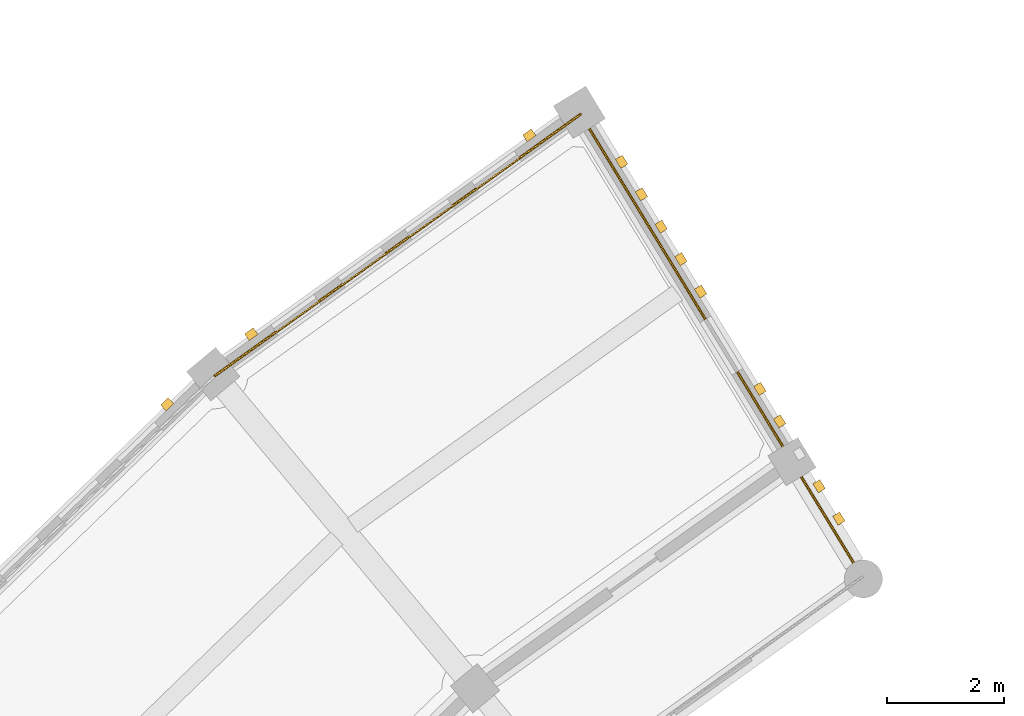
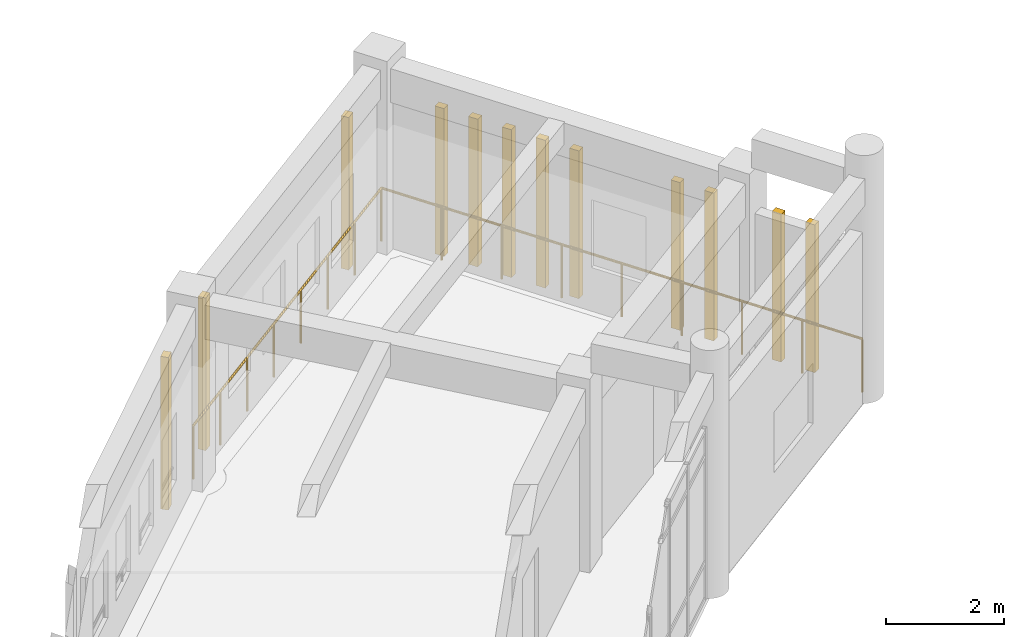
# One storey, part 151 of 159: 12 coverings, 2 railings.
"""IFC4 building model written with IfcOpenShell, lengths in metres."""

import ifcopenshell
import ifcopenshell.guid

model = None  # the IFC model being written
_history = None  # IfcOwnerHistory: only IFC2X3 demands one
_inside = {}  # id of a spatial element -> (the spatial element, [elements in it])
_under = {}  # id of a project, library or spatial element -> (it, [spatial elements below it])
_declared = {}  # id of a project -> (the project, [libraries it declares])
_typed = {}  # id of a type object -> (the type object, [elements of that type])
_made_of = {}  # id of a material, layer set ... -> (it, [elements and type objects made of it])


def new_model(schema):
    """Start an empty IFC model of exactly this schema.

    Asked for "IFC4X3", IfcOpenShell would pick the latest addendum, in which some entities
    have other attributes; the version numbers below select the first issue.
    IFC2X3 requires an IfcOwnerHistory on every rooted entity: one is made here for all.
    """
    global model, _history
    if schema == "IFC4X3":
        model = ifcopenshell.file(schema_version=(4, 3, 0, 0))
    else:
        model = ifcopenshell.file(schema=schema)
    _inside.clear()
    _under.clear()
    _declared.clear()
    _typed.clear()
    _made_of.clear()
    _history = None
    if model.schema == "IFC2X3":
        org = make("IfcOrganization", Name="unknown")
        user = make(
            "IfcPersonAndOrganization",
            ThePerson=make("IfcPerson", FamilyName="unknown"),
            TheOrganization=org,
        )
        app = make(
            "IfcApplication",
            ApplicationDeveloper=org,
            Version="unknown",
            ApplicationFullName="unknown",
            ApplicationIdentifier="unknown",
        )
        _history = make(
            "IfcOwnerHistory",
            OwningUser=user,
            OwningApplication=app,
            ChangeAction="ADDED",
            CreationDate=0,
        )
    return model


def make(cls, **values):
    """One entity of the class cls with the attributes given. An attribute that is None is left unset."""
    return model.create_entity(
        cls, **{name: value for name, value in values.items() if value is not None}
    )


def rooted(cls, **values):
    """An entity with a GlobalId (a new one), such as an element, a storey or a relation."""
    return make(cls, GlobalId=ifcopenshell.guid.new(), OwnerHistory=_history, **values)


def si_unit(unit_type, name, prefix=None):
    """IfcSIUnit, for example si_unit("LENGTHUNIT", "METRE", prefix="MILLI")."""
    return make("IfcSIUnit", UnitType=unit_type, Prefix=prefix, Name=name)


def assignment(units):
    """IfcUnitAssignment: the units of a project."""
    return None if units is None else make("IfcUnitAssignment", Units=units)


def point(xyz):
    """IfcCartesianPoint."""
    return None if xyz is None else make("IfcCartesianPoint", Coordinates=xyz)


def direction(xyz):
    """IfcDirection."""
    return None if xyz is None else make("IfcDirection", DirectionRatios=xyz)


def frame(location, z_axis=None, x_axis=None):
    """IfcAxis2Placement3D, a coordinate frame: its origin and axes. An axis left out is left unset."""
    return make(
        "IfcAxis2Placement3D",
        Location=point(location),
        Axis=direction(z_axis),
        RefDirection=direction(x_axis),
    )


def frame_2d(location, x_axis=None):
    """IfcAxis2Placement2D, a coordinate frame in the plane: its origin and x axis."""
    return make(
        "IfcAxis2Placement2D", Location=point(location), RefDirection=direction(x_axis)
    )


def origin():
    """The frame at (0, 0, 0) with its axes left unset."""
    return frame((0.0, 0.0, 0.0))


def origin_2d():
    """The frame at (0, 0) in the plane with its x axis left unset."""
    return frame_2d((0.0, 0.0))


def place(relative_to, where):
    """IfcLocalPlacement: puts the frame where relative to a parent placement (None: the world)."""
    return make(
        "IfcLocalPlacement", PlacementRelTo=relative_to, RelativePlacement=where
    )


def context(
    kind, dimensions, precision=None, world=None, true_north=None, identifier=None
):
    """IfcGeometricRepresentationContext, for example the 3D "Model" context."""
    return make(
        "IfcGeometricRepresentationContext",
        ContextIdentifier=identifier,
        ContextType=kind,
        CoordinateSpaceDimension=dimensions,
        Precision=precision,
        WorldCoordinateSystem=world,
        TrueNorth=true_north,
    )


def subcontext(parent, identifier, kind, view, scale=None):
    """IfcGeometricRepresentationSubContext, for example "Body" below "Model"."""
    return make(
        "IfcGeometricRepresentationSubContext",
        ContextIdentifier=identifier,
        ContextType=kind,
        ParentContext=parent,
        TargetScale=scale,
        TargetView=view,
    )


def project(units=None, contexts=None):
    """IfcProject with its units and contexts."""
    return rooted(
        "IfcProject",
        Name="project",
        RepresentationContexts=contexts,
        UnitsInContext=assignment(units),
    )


def spatial(cls, under=None, at=None, **own):
    """A site, building, storey or space (cls), placed at a placement, below another one or the project."""
    s = rooted(cls, ObjectPlacement=at, **own)
    if under is not None:
        _under.setdefault(under.id(), (under, []))[1].append(s)
    return s


def profile(cls, at=None, kind="AREA", **sizes):
    """A parametric profile (cls). Its sizes go by their IFC names, for example OverallWidth=200.0."""
    return make(cls, ProfileType=kind, Position=at, **sizes)


def rectangle(**sizes):
    """IfcRectangleProfileDef."""
    return profile("IfcRectangleProfileDef", **sizes)


def circle(**sizes):
    """IfcCircleProfileDef."""
    return profile("IfcCircleProfileDef", **sizes)


def extrude(swept, where, along, depth):
    """IfcExtrudedAreaSolid: the profile swept, set in the frame where, extruded along a direction by depth."""
    return make(
        "IfcExtrudedAreaSolid",
        SweptArea=swept,
        Position=where,
        ExtrudedDirection=direction(along),
        Depth=depth,
    )


def shape(context_of_items, identifier, shape_type, items):
    """IfcShapeRepresentation: the items that make up one representation, for example the "Body"."""
    return make(
        "IfcShapeRepresentation",
        ContextOfItems=context_of_items,
        RepresentationIdentifier=identifier,
        RepresentationType=shape_type,
        Items=items,
    )


def material(Name=None, Category=None):
    """IfcMaterial."""
    return make("IfcMaterial", Name=Name, Category=Category)


def layer(
    of_material, thickness, ventilated=None, Name=None, Category=None, Priority=None
):
    """IfcMaterialLayer: one layer of a wall or slab, of a material (None: an air gap)."""
    return make(
        "IfcMaterialLayer",
        Material=of_material,
        LayerThickness=thickness,
        IsVentilated=ventilated,
        Name=Name,
        Category=Category,
        Priority=Priority,
    )


def layer_set(layers, Name=None):
    """IfcMaterialLayerSet."""
    return make("IfcMaterialLayerSet", MaterialLayers=layers, LayerSetName=Name)


def made_of(thing, what):
    """Note that an element or type object is made of a material, layer set ...; save() writes the relation."""
    if what is not None:
        _made_of.setdefault(what.id(), (what, []))[1].append(thing)
    return thing


def type_object(cls, material=None, **own):
    """A type object (cls), such as IfcWallType, which elements share."""
    return made_of(rooted(cls, **own), material)


def element(
    cls,
    number,
    at=None,
    inside=None,
    cuts=None,
    type_object=None,
    material=None,
    context=None,
    identifier="Body",
    shape_type=None,
    held_by="IfcProductDefinitionShape",
    body=None,
    shapes=None,
    **own,
):
    """One element of the class cls, such as IfcWall. Its Tag is "e" and its number.

    at: its placement. inside: the storey or other place that contains it. cuts: it is an
    opening in that element (IfcRelVoidsElement). A single representation is given by context,
    identifier, shape_type and body (its items); several are given by shapes. held_by: the class
    of the entity that holds the representations. save() writes the other relations.
    """
    e = rooted(cls, Tag="e%d" % number, ObjectPlacement=at, **own)
    if body is not None:
        shapes = [shape(context, identifier, shape_type, body)]
    if shapes is not None:
        e.Representation = make(held_by, Representations=shapes)
    if inside is not None:
        _inside.setdefault(inside.id(), (inside, []))[1].append(e)
    if cuts is not None:
        rooted(
            "IfcRelVoidsElement", RelatingBuildingElement=cuts, RelatedOpeningElement=e
        )
    if type_object is not None:
        _typed.setdefault(type_object.id(), (type_object, []))[1].append(e)
    return made_of(e, material)


def aggregate(whole, parts):
    """IfcRelAggregates: a whole, such as a stair, and the parts it consists of."""
    return rooted("IfcRelAggregates", RelatingObject=whole, RelatedObjects=parts)


def save(model, path):
    """Write the relations noted so far, then the file.

    IfcRelAggregates (storeys below a building ...), IfcRelContainedInSpatialStructure (elements
    in a storey), IfcRelDefinesByType, IfcRelAssociatesMaterial and IfcRelDeclares: one each for
    every whole, place, type object, material and project.
    """
    for whole, parts in _under.values():
        aggregate(whole, parts)
    for where, things in _inside.values():
        rooted(
            "IfcRelContainedInSpatialStructure",
            RelatedElements=things,
            RelatingStructure=where,
        )
    for kind, things in _typed.values():
        rooted("IfcRelDefinesByType", RelatedObjects=things, RelatingType=kind)
    for what, things in _made_of.values():
        rooted("IfcRelAssociatesMaterial", RelatedObjects=things, RelatingMaterial=what)
    for by, libraries in _declared.values():
        rooted("IfcRelDeclares", RelatingContext=by, RelatedDefinitions=libraries)
    model.write(path)


model = new_model("IFC4")

# Units and contexts
model_context = context("Model", 3, precision=1e-05, world=origin(), true_north=direction((0.0, 1.0)))
body_context = subcontext(model_context, "Body", "Model", "MODEL_VIEW")
ifc_project = project(units=[si_unit("LENGTHUNIT", "METRE"), si_unit("AREAUNIT", "SQUARE_METRE"), si_unit("VOLUMEUNIT", "CUBIC_METRE"), si_unit("PLANEANGLEUNIT", "RADIAN"), si_unit("MASSUNIT", "GRAM", prefix="KILO")], contexts=[model_context])

# Site, building, storey
site_placement = place(None, origin())
site = spatial("IfcSite", under=ifc_project, at=site_placement, CompositionType="ELEMENT")
building_placement = place(site_placement, origin())
building = spatial("IfcBuilding", under=site, at=building_placement, Name="Celadon Cloister-Ring School", CompositionType="ELEMENT")
storey_placement = place(building_placement, frame((0.0, 0.0, 4.5)))
storey = spatial("IfcBuildingStorey", under=building, at=storey_placement, Name="L01", CompositionType="ELEMENT", Elevation=4.5)

# Coverings
ifc_material_1 = material(Name="Perforated terracotta clay brick masonry", Category="masonry")
ifc_layer = layer(ifc_material_1, 0.139892578125)
ifc_layer_set = layer_set([ifc_layer], Name="Perforated terracotta clay brick masonry")
covering_type = type_object("IfcCoveringType", Name="CV-SC1", PredefinedType="CLADDING", material=ifc_layer_set)
for number, where, z_axis, x_axis, name in (
    (1, (54.35400390625, 99.6240234375, 0.0), (0.0, 0.0, 1.0), (0.813374989743, 0.58173974083, 0.0), "Brick Screen Rib 0126"),
    (2, (59.112060546875, 103.027099609375, 0.0), (0.0, 0.0, 1.0), (0.813374989743, 0.58173974083, 0.0), "Brick Screen Rib 0127"),
    (3, (52.9150390625, 98.424072265625, 0.0), (0.0, 0.0, 1.0), (0.718672644851, 0.695348566938, 0.0), "Brick Screen Rib 0129"),
):
    element("IfcCovering", number, at=place(storey_placement, frame(where, z_axis=z_axis, x_axis=x_axis)), inside=storey, type_object=covering_type, Name=name, PredefinedType="CLADDING", context=body_context, shape_type="SweptSolid", body=[
        extrude(rectangle(XDim=0.179931640625, YDim=0.139892578125, at=origin_2d()), origin(), (0.0, 0.0, 1.0), 3.152099609375),
    ])
for number, where, z_axis, x_axis, name in (
    (4, (60.69189453125, 102.573974609375, 0.0), (0.0, 0.0, 1.0), (0.51986207177, -0.854250212956, 0.0), "Brick Screen Rib 0213"),
    (5, (61.030029296875, 102.01904296875, 0.0), (0.0, 0.0, 1.0), (0.51986207177, -0.854250212956, 0.0), "Brick Screen Rib 0214"),
    (6, (61.367919921875, 101.464111328125, 0.0), (0.0, 0.0, 1.0), (0.51986207177, -0.854250212956, 0.0), "Brick Screen Rib 0215"),
    (7, (61.7060546875, 100.908935546875, 0.0), (0.0, 0.0, 1.0), (0.51986207177, -0.854250212956, 0.0), "Brick Screen Rib 0216"),
    (8, (62.0439453125, 100.35302734375, 0.0), (0.0, 0.0, 1.0), (0.51986207177, -0.854250212956, 0.0), "Brick Screen Rib 0217"),
    (9, (63.05810546875, 98.68798828125, 0.0), (0.0, 0.0, 1.0), (0.51986207177, -0.854250212956, 0.0), "Brick Screen Rib 0218"),
    (10, (63.39501953125, 98.132080078125, 0.0), (0.0, 0.0, 1.0), (0.51986207177, -0.854250212956, 0.0), "Brick Screen Rib 0219"),
    (11, (64.071044921875, 97.02197265625, 0.0), (0.0, 0.0, 1.0), (0.51986207177, -0.854250212956, 0.0), "Brick Screen Rib 0221"),
    (12, (64.408935546875, 96.467041015625, 0.0), (0.0, 0.0, 1.0), (0.51986207177, -0.854250212956, 0.0), "Brick Screen Rib 0222"),
):
    element("IfcCovering", number, at=place(storey_placement, frame(where, z_axis=z_axis, x_axis=x_axis)), inside=storey, type_object=covering_type, Name=name, PredefinedType="CLADDING", context=body_context, shape_type="SweptSolid", body=[
        extrude(rectangle(XDim=0.179931640625, YDim=0.139892578125, at=origin_2d()), origin(), (0.0, 0.0, 1.0), 3.052001953125),
    ])

# Railings
ifc_material_2 = material(Name="Structural steel S355JR", Category="steel")
railing_type = type_object("IfcRailingType", Name="RL-BL1", PredefinedType="BALUSTRADE", material=ifc_material_2)
railing_1_placement = place(storey_placement, frame((59.989990234375, 103.387939453125, 0.0)))
element("IfcRailing", 13, at=railing_1_placement, inside=storey, type_object=railing_type, Name="Terrace Balustrade 0001", PredefinedType="BALUSTRADE", context=body_context, shape_type="SweptSolid", body=[
    extrude(circle(Radius=0.02392578125, at=origin_2d()), frame((0.0, 0.0, 1.09619140625), z_axis=(-0.81343117442, -0.581661176702, 0.0), x_axis=(0.581661176702, -0.81343117442, 0.0)), (0.0, 0.0, 1.0), 7.697021484375),
    extrude(circle(Radius=0.02099609375, at=origin_2d()), origin(), (0.0, 0.0, 1.0), 1.072021484375),
    extrude(circle(Radius=0.02099609375, at=origin_2d()), frame((-0.89453125, -0.6396484375, 0.0)), (0.0, 0.0, 1.0), 1.072021484375),
    extrude(circle(Radius=0.02099609375, at=origin_2d()), frame((-1.788818359375, -1.279052734375, 0.0)), (0.0, 0.0, 1.0), 1.072021484375),
    extrude(circle(Radius=0.02099609375, at=origin_2d()), frame((-2.683349609375, -1.918701171875, 0.0)), (0.0, 0.0, 1.0), 1.072021484375),
    extrude(circle(Radius=0.02099609375, at=origin_2d()), frame((-3.57763671875, -2.558349609375, 0.0)), (0.0, 0.0, 1.0), 1.072021484375),
    extrude(circle(Radius=0.02099609375, at=origin_2d()), frame((-4.47216796875, -3.197998046875, 0.0)), (0.0, 0.0, 1.0), 1.072021484375),
    extrude(circle(Radius=0.02099609375, at=origin_2d()), frame((-5.366455078125, -3.83740234375, 0.0)), (0.0, 0.0, 1.0), 1.072021484375),
    extrude(circle(Radius=0.02099609375, at=origin_2d()), frame((-6.260986328125, -4.47705078125, 0.0)), (0.0, 0.0, 1.0), 1.072021484375),
])
railing_2_placement = place(storey_placement, frame((64.80908203125, 95.468994140625, 0.0)))
element("IfcRailing", 14, at=railing_2_placement, inside=storey, type_object=railing_type, Name="Terrace Balustrade 0071", PredefinedType="BALUSTRADE", context=body_context, shape_type="SweptSolid", body=[
    extrude(circle(Radius=0.02392578125, at=origin_2d()), frame((0.0, 0.0, 1.09619140625), z_axis=(-0.519857545017, 0.854252967738, 0.0), x_axis=(-0.854252967738, -0.519857545017, 0.0)), (0.0, 0.0, 1.0), 9.27001953125),
    extrude(circle(Radius=0.02099609375, at=origin_2d()), origin(), (0.0, 0.0, 1.0), 1.072021484375),
    extrude(circle(Radius=0.02099609375, at=origin_2d()), frame((-0.602294921875, 0.98974609375, 0.0)), (0.0, 0.0, 1.0), 1.072021484375),
    extrude(circle(Radius=0.02099609375, at=origin_2d()), frame((-1.204833984375, 1.979736328125, 0.0)), (0.0, 0.0, 1.0), 1.072021484375),
    extrude(circle(Radius=0.02099609375, at=origin_2d()), frame((-1.80712890625, 2.9697265625, 0.0)), (0.0, 0.0, 1.0), 1.072021484375),
    extrude(circle(Radius=0.02099609375, at=origin_2d()), frame((-2.40966796875, 3.95947265625, 0.0)), (0.0, 0.0, 1.0), 1.072021484375),
    extrude(circle(Radius=0.02099609375, at=origin_2d()), frame((-3.011962890625, 4.94921875, 0.0)), (0.0, 0.0, 1.0), 1.072021484375),
    extrude(circle(Radius=0.02099609375, at=origin_2d()), frame((-3.6142578125, 5.939208984375, 0.0)), (0.0, 0.0, 1.0), 1.072021484375),
    extrude(circle(Radius=0.02099609375, at=origin_2d()), frame((-4.216796875, 6.92919921875, 0.0)), (0.0, 0.0, 1.0), 1.072021484375),
    extrude(circle(Radius=0.02099609375, at=origin_2d()), frame((-4.819091796875, 7.9189453125, 0.0)), (0.0, 0.0, 1.0), 1.072021484375),
])

save(model, "model.ifc")
